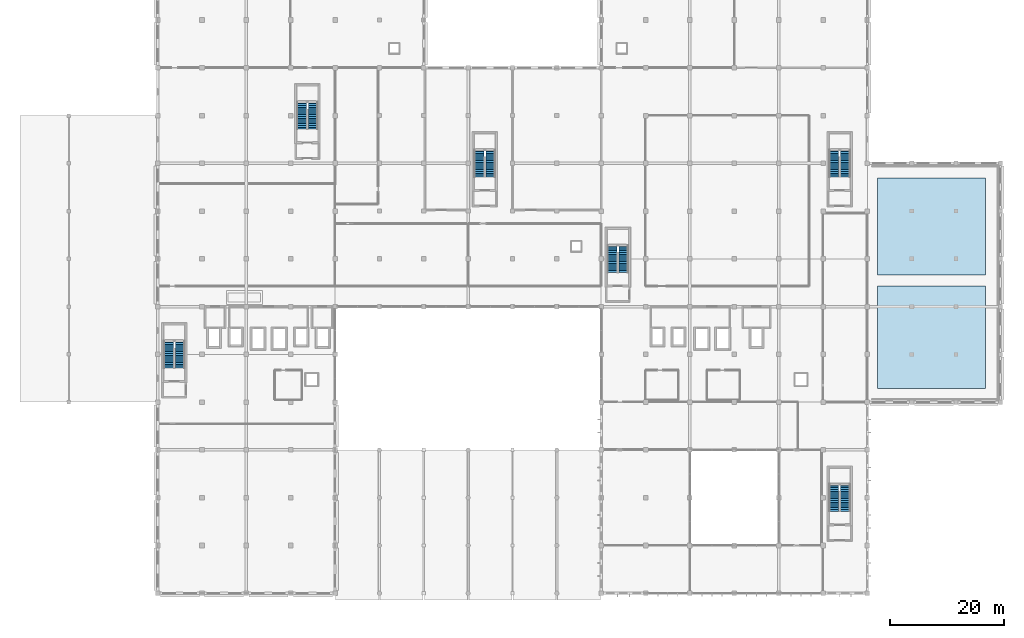
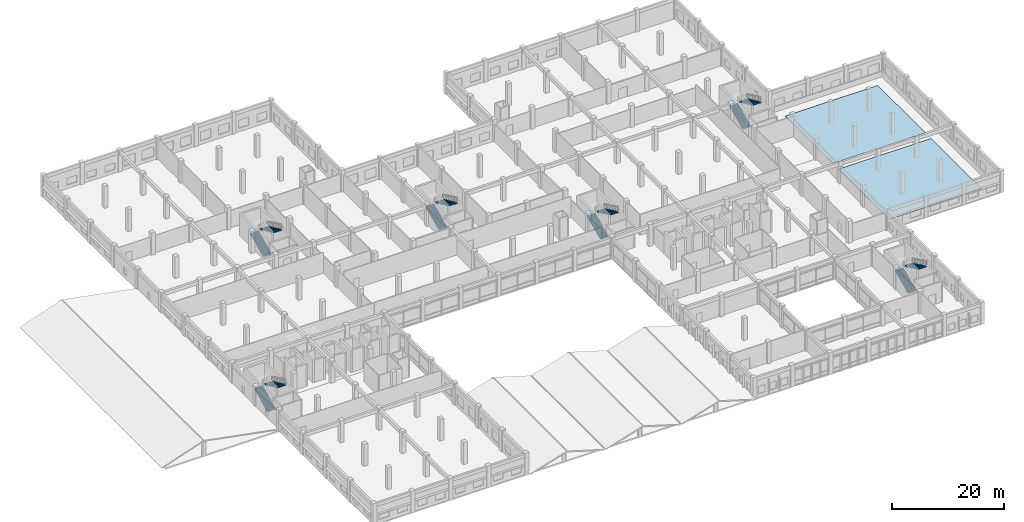
# One storey, part 52 of 62: 12 stair flights, 2 roofs, 6 elements without a shape of their own.
"""IFC4 building model written with IfcOpenShell, lengths in metres."""

from ifc_helpers import new_model, si_unit, direction, frame, origin, place, context, subcontext, project, spatial, polyline, outline, extrude, material, layer, layer_set, type_object, element, aggregate, save


model = new_model("IFC4")

# Units and contexts
model_context = context("Model", 3, precision=1e-05, world=origin(), true_north=direction((0.0, 1.0)))
body_context = subcontext(model_context, "Body", "Model", "MODEL_VIEW")
ifc_project = project(units=[si_unit("LENGTHUNIT", "METRE"), si_unit("AREAUNIT", "SQUARE_METRE"), si_unit("VOLUMEUNIT", "CUBIC_METRE"), si_unit("PLANEANGLEUNIT", "RADIAN"), si_unit("MASSUNIT", "GRAM", prefix="KILO"), si_unit("THERMODYNAMICTEMPERATUREUNIT", "KELVIN"), si_unit("POWERUNIT", "WATT")], contexts=[model_context])

# Site, building, storey
site_placement = place(None, origin())
site = spatial("IfcSite", under=ifc_project, at=site_placement, CompositionType="ELEMENT")
building_placement = place(site_placement, origin())
building = spatial("IfcBuilding", under=site, at=building_placement, Name="Srebrne Nadtorze General Hospital", CompositionType="ELEMENT")
storey_placement = place(building_placement, frame((0.0, 0.0, 9.60009765625)))
storey = spatial("IfcBuildingStorey", under=building, at=storey_placement, Name="L02", CompositionType="ELEMENT", Elevation=9.60009765625)

# Stair, stair flights
ifc_material_1 = material(Name="Concrete C35/45", Category="concrete")
stair_type = type_object("IfcStairType", Name="Dog-leg escape stair 480", PredefinedType="HALF_TURN_STAIR", material=ifc_material_1)
stair_1_placement = place(storey_placement, origin())
stair_1 = element("IfcStair", 1, at=stair_1_placement, inside=storey, type_object=stair_type, Name="Escape stair ST-01-L02", PredefinedType="HALF_TURN_STAIR")
ifc_material_2 = material(Name="Concrete C35/45", Category="concrete")
stair_flight_type = type_object("IfcStairFlightType", Name="Reinforced concrete stair flight 16R", PredefinedType="STRAIGHT", material=ifc_material_2)
stair_flight_1_placement = place(storey_placement, frame((25.300048828125, 39.60009765625, 0.0), z_axis=(0.0, 0.0, 1.0), x_axis=(0.0, 1.0, 0.0)))
stair_flight_1 = element("IfcStairFlight", 2, at=stair_flight_1_placement, type_object=stair_flight_type, Name="ST-01 flight 1", NumberOfRisers=16, NumberOfTreads=15, PredefinedType="STRAIGHT", RiserHeight=0.15, TreadLength=0.32, context=body_context, shape_type="SweptSolid", body=[
    extrude(outline(polyline([(0.0, 0.0), (0.0, 0.14990234375), (0.320068359375, 0.14990234375), (0.320068359375, 0.300048828125), (0.639892578125, 0.300048828125), (0.639892578125, 0.449951171875), (0.9599609375, 0.449951171875), (0.9599609375, 0.60009765625), (1.280029296875, 0.60009765625), (1.280029296875, 0.75), (1.60009765625, 0.75), (1.60009765625, 0.89990234375), (1.919921875, 0.89990234375), (1.919921875, 1.050048828125), (2.239990234375, 1.050048828125), (2.239990234375, 1.199951171875), (2.56005859375, 1.199951171875), (2.56005859375, 1.35009765625), (2.8798828125, 1.35009765625), (2.8798828125, 1.5), (3.199951171875, 1.5), (3.199951171875, 1.64990234375), (3.52001953125, 1.64990234375), (3.52001953125, 1.800048828125), (3.840087890625, 1.800048828125), (3.840087890625, 1.949951171875), (4.159912109375, 1.949951171875), (4.159912109375, 2.10009765625), (4.47998046875, 2.10009765625), (4.47998046875, 2.25), (4.800048828125, 2.25), (4.800048828125, 2.39990234375), (4.800048828125, 2.05126953125), (0.423828125, 0.0), (0.0, 0.0)])), frame((0.0, 0.85009765625, 0.0), z_axis=(0.0, -1.0, 0.0), x_axis=(1.0, 0.0, 0.0)), (0.0, 0.0, 1.0), 1.699951171875),
])
stair_flight_2_placement = place(storey_placement, frame((27.35009765625, 44.39990234375, 2.39990234375), z_axis=(0.0, 0.0, 1.0), x_axis=(0.0, -1.0, 0.0)))
stair_flight_2 = element("IfcStairFlight", 3, at=stair_flight_2_placement, type_object=stair_flight_type, Name="ST-01 flight 2", NumberOfRisers=16, NumberOfTreads=15, PredefinedType="STRAIGHT", RiserHeight=0.15, TreadLength=0.32, context=body_context, shape_type="SweptSolid", body=[
    extrude(outline(polyline([(0.0, 0.0), (0.0, 0.14990234375), (0.320068359375, 0.14990234375), (0.320068359375, 0.300048828125), (0.639892578125, 0.300048828125), (0.639892578125, 0.449951171875), (0.9599609375, 0.449951171875), (0.9599609375, 0.60009765625), (1.280029296875, 0.60009765625), (1.280029296875, 0.75), (1.60009765625, 0.75), (1.60009765625, 0.89990234375), (1.919921875, 0.89990234375), (1.919921875, 1.050048828125), (2.239990234375, 1.050048828125), (2.239990234375, 1.199951171875), (2.56005859375, 1.199951171875), (2.56005859375, 1.35009765625), (2.8798828125, 1.35009765625), (2.8798828125, 1.5), (3.199951171875, 1.5), (3.199951171875, 1.64990234375), (3.52001953125, 1.64990234375), (3.52001953125, 1.800048828125), (3.840087890625, 1.800048828125), (3.840087890625, 1.949951171875), (4.159912109375, 1.949951171875), (4.159912109375, 2.10009765625), (4.47998046875, 2.10009765625), (4.47998046875, 2.25), (4.800048828125, 2.25), (4.800048828125, 2.39990234375), (4.800048828125, 2.05126953125), (0.423828125, 0.0), (0.0, 0.0)])), frame((0.0, 0.85009765625, 0.0), z_axis=(0.0, -1.0, 0.0), x_axis=(1.0, 0.0, 0.0)), (0.0, 0.0, 1.0), 1.699951171875),
])
aggregate(stair_1, [stair_flight_1, stair_flight_2])

stair_2_placement = place(storey_placement, origin())
stair_2 = element("IfcStair", 4, at=stair_2_placement, inside=storey, type_object=stair_type, Name="Escape stair ST-02-L02", PredefinedType="HALF_TURN_STAIR")
stair_flight_3_placement = place(storey_placement, frame((48.699951171875, 81.60009765625, 0.0), z_axis=(0.0, 0.0, 1.0), x_axis=(0.0, 1.0, 0.0)))
stair_flight_3 = element("IfcStairFlight", 5, at=stair_flight_3_placement, type_object=stair_flight_type, Name="ST-02 flight 1", NumberOfRisers=16, NumberOfTreads=15, PredefinedType="STRAIGHT", RiserHeight=0.15, TreadLength=0.32, context=body_context, shape_type="SweptSolid", body=[
    extrude(outline(polyline([(0.0, 0.0), (0.0, 0.14990234375), (0.320068359375, 0.14990234375), (0.320068359375, 0.300048828125), (0.639892578125, 0.300048828125), (0.639892578125, 0.449951171875), (0.9599609375, 0.449951171875), (0.9599609375, 0.60009765625), (1.280029296875, 0.60009765625), (1.280029296875, 0.75), (1.60009765625, 0.75), (1.60009765625, 0.89990234375), (1.919921875, 0.89990234375), (1.919921875, 1.050048828125), (2.239990234375, 1.050048828125), (2.239990234375, 1.199951171875), (2.56005859375, 1.199951171875), (2.56005859375, 1.35009765625), (2.8798828125, 1.35009765625), (2.8798828125, 1.5), (3.199951171875, 1.5), (3.199951171875, 1.64990234375), (3.52001953125, 1.64990234375), (3.52001953125, 1.800048828125), (3.840087890625, 1.800048828125), (3.840087890625, 1.949951171875), (4.159912109375, 1.949951171875), (4.159912109375, 2.10009765625), (4.47998046875, 2.10009765625), (4.47998046875, 2.25), (4.800048828125, 2.25), (4.800048828125, 2.39990234375), (4.800048828125, 2.05126953125), (0.423828125, 0.0), (0.0, 0.0)])), frame((0.0, 0.85009765625, 0.0), z_axis=(0.0, -1.0, 0.0), x_axis=(1.0, 0.0, 0.0)), (0.0, 0.0, 1.0), 1.699951171875),
])
stair_flight_4_placement = place(storey_placement, frame((50.75, 86.39990234375, 2.39990234375), z_axis=(0.0, 0.0, 1.0), x_axis=(0.0, -1.0, 0.0)))
stair_flight_4 = element("IfcStairFlight", 6, at=stair_flight_4_placement, type_object=stair_flight_type, Name="ST-02 flight 2", NumberOfRisers=16, NumberOfTreads=15, PredefinedType="STRAIGHT", RiserHeight=0.15, TreadLength=0.32, context=body_context, shape_type="SweptSolid", body=[
    extrude(outline(polyline([(0.0, 0.0), (0.0, 0.14990234375), (0.320068359375, 0.14990234375), (0.320068359375, 0.300048828125), (0.639892578125, 0.300048828125), (0.639892578125, 0.449951171875), (0.9599609375, 0.449951171875), (0.9599609375, 0.60009765625), (1.280029296875, 0.60009765625), (1.280029296875, 0.75), (1.60009765625, 0.75), (1.60009765625, 0.89990234375), (1.919921875, 0.89990234375), (1.919921875, 1.050048828125), (2.239990234375, 1.050048828125), (2.239990234375, 1.199951171875), (2.56005859375, 1.199951171875), (2.56005859375, 1.35009765625), (2.8798828125, 1.35009765625), (2.8798828125, 1.5), (3.199951171875, 1.5), (3.199951171875, 1.64990234375), (3.52001953125, 1.64990234375), (3.52001953125, 1.800048828125), (3.840087890625, 1.800048828125), (3.840087890625, 1.949951171875), (4.159912109375, 1.949951171875), (4.159912109375, 2.10009765625), (4.47998046875, 2.10009765625), (4.47998046875, 2.25), (4.800048828125, 2.25), (4.800048828125, 2.39990234375), (4.800048828125, 2.05126953125), (0.423828125, 0.0), (0.0, 0.0)])), frame((0.0, 0.85009765625, 0.0), z_axis=(0.0, -1.0, 0.0), x_axis=(1.0, 0.0, 0.0)), (0.0, 0.0, 1.0), 1.699951171875),
])
aggregate(stair_2, [stair_flight_3, stair_flight_4])

stair_3_placement = place(storey_placement, origin())
stair_3 = element("IfcStair", 7, at=stair_3_placement, inside=storey, type_object=stair_type, Name="Escape stair ST-03-L02", PredefinedType="HALF_TURN_STAIR")
stair_flight_5_placement = place(storey_placement, frame((103.300048828125, 56.39990234375, 0.0), z_axis=(0.0, 0.0, 1.0), x_axis=(0.0, 1.0, 0.0)))
stair_flight_5 = element("IfcStairFlight", 8, at=stair_flight_5_placement, type_object=stair_flight_type, Name="ST-03 flight 1", NumberOfRisers=16, NumberOfTreads=15, PredefinedType="STRAIGHT", RiserHeight=0.15, TreadLength=0.32, context=body_context, shape_type="SweptSolid", body=[
    extrude(outline(polyline([(0.0, 0.0), (0.0, 0.14990234375), (0.320068359375, 0.14990234375), (0.320068359375, 0.300048828125), (0.639892578125, 0.300048828125), (0.639892578125, 0.449951171875), (0.9599609375, 0.449951171875), (0.9599609375, 0.60009765625), (1.280029296875, 0.60009765625), (1.280029296875, 0.75), (1.60009765625, 0.75), (1.60009765625, 0.89990234375), (1.919921875, 0.89990234375), (1.919921875, 1.050048828125), (2.239990234375, 1.050048828125), (2.239990234375, 1.199951171875), (2.56005859375, 1.199951171875), (2.56005859375, 1.35009765625), (2.8798828125, 1.35009765625), (2.8798828125, 1.5), (3.199951171875, 1.5), (3.199951171875, 1.64990234375), (3.52001953125, 1.64990234375), (3.52001953125, 1.800048828125), (3.840087890625, 1.800048828125), (3.840087890625, 1.949951171875), (4.159912109375, 1.949951171875), (4.159912109375, 2.10009765625), (4.47998046875, 2.10009765625), (4.47998046875, 2.25), (4.800048828125, 2.25), (4.800048828125, 2.39990234375), (4.800048828125, 2.05126953125), (0.423828125, 0.0), (0.0, 0.0)])), frame((0.0, 0.85009765625, 0.0), z_axis=(0.0, -1.0, 0.0), x_axis=(1.0, 0.0, 0.0)), (0.0, 0.0, 1.0), 1.699951171875),
])
stair_flight_6_placement = place(storey_placement, frame((105.35009765625, 61.199951171875, 2.39990234375), z_axis=(0.0, 0.0, 1.0), x_axis=(0.0, -1.0, 0.0)))
stair_flight_6 = element("IfcStairFlight", 9, at=stair_flight_6_placement, type_object=stair_flight_type, Name="ST-03 flight 2", NumberOfRisers=16, NumberOfTreads=15, PredefinedType="STRAIGHT", RiserHeight=0.15, TreadLength=0.32, context=body_context, shape_type="SweptSolid", body=[
    extrude(outline(polyline([(0.0, 0.0), (0.0, 0.14990234375), (0.320068359375, 0.14990234375), (0.320068359375, 0.300048828125), (0.639892578125, 0.300048828125), (0.639892578125, 0.449951171875), (0.9599609375, 0.449951171875), (0.9599609375, 0.60009765625), (1.280029296875, 0.60009765625), (1.280029296875, 0.75), (1.60009765625, 0.75), (1.60009765625, 0.89990234375), (1.919921875, 0.89990234375), (1.919921875, 1.050048828125), (2.239990234375, 1.050048828125), (2.239990234375, 1.199951171875), (2.56005859375, 1.199951171875), (2.56005859375, 1.35009765625), (2.8798828125, 1.35009765625), (2.8798828125, 1.5), (3.199951171875, 1.5), (3.199951171875, 1.64990234375), (3.52001953125, 1.64990234375), (3.52001953125, 1.800048828125), (3.840087890625, 1.800048828125), (3.840087890625, 1.949951171875), (4.159912109375, 1.949951171875), (4.159912109375, 2.10009765625), (4.47998046875, 2.10009765625), (4.47998046875, 2.25), (4.800048828125, 2.25), (4.800048828125, 2.39990234375), (4.800048828125, 2.05126953125), (0.423828125, 0.0), (0.0, 0.0)])), frame((0.0, 0.85009765625, 0.0), z_axis=(0.0, -1.0, 0.0), x_axis=(1.0, 0.0, 0.0)), (0.0, 0.0, 1.0), 1.699951171875),
])
aggregate(stair_3, [stair_flight_5, stair_flight_6])

stair_4_placement = place(storey_placement, origin())
stair_4 = element("IfcStair", 10, at=stair_4_placement, inside=storey, type_object=stair_type, Name="Escape stair ST-04-L02", PredefinedType="HALF_TURN_STAIR")
stair_flight_7_placement = place(storey_placement, frame((142.300048828125, 73.199951171875, 0.0), z_axis=(0.0, 0.0, 1.0), x_axis=(0.0, 1.0, 0.0)))
stair_flight_7 = element("IfcStairFlight", 11, at=stair_flight_7_placement, type_object=stair_flight_type, Name="ST-04 flight 1", NumberOfRisers=16, NumberOfTreads=15, PredefinedType="STRAIGHT", RiserHeight=0.15, TreadLength=0.32, context=body_context, shape_type="SweptSolid", body=[
    extrude(outline(polyline([(0.0, 0.0), (0.0, 0.14990234375), (0.320068359375, 0.14990234375), (0.320068359375, 0.300048828125), (0.639892578125, 0.300048828125), (0.639892578125, 0.449951171875), (0.9599609375, 0.449951171875), (0.9599609375, 0.60009765625), (1.280029296875, 0.60009765625), (1.280029296875, 0.75), (1.60009765625, 0.75), (1.60009765625, 0.89990234375), (1.919921875, 0.89990234375), (1.919921875, 1.050048828125), (2.239990234375, 1.050048828125), (2.239990234375, 1.199951171875), (2.56005859375, 1.199951171875), (2.56005859375, 1.35009765625), (2.8798828125, 1.35009765625), (2.8798828125, 1.5), (3.199951171875, 1.5), (3.199951171875, 1.64990234375), (3.52001953125, 1.64990234375), (3.52001953125, 1.800048828125), (3.840087890625, 1.800048828125), (3.840087890625, 1.949951171875), (4.159912109375, 1.949951171875), (4.159912109375, 2.10009765625), (4.47998046875, 2.10009765625), (4.47998046875, 2.25), (4.800048828125, 2.25), (4.800048828125, 2.39990234375), (4.800048828125, 2.05126953125), (0.423828125, 0.0), (0.0, 0.0)])), frame((0.0, 0.85009765625, 0.0), z_axis=(0.0, -1.0, 0.0), x_axis=(1.0, 0.0, 0.0)), (0.0, 0.0, 1.0), 1.699951171875),
])
stair_flight_8_placement = place(storey_placement, frame((144.35009765625, 78.0, 2.39990234375), z_axis=(0.0, 0.0, 1.0), x_axis=(0.0, -1.0, 0.0)))
stair_flight_8 = element("IfcStairFlight", 12, at=stair_flight_8_placement, type_object=stair_flight_type, Name="ST-04 flight 2", NumberOfRisers=16, NumberOfTreads=15, PredefinedType="STRAIGHT", RiserHeight=0.15, TreadLength=0.32, context=body_context, shape_type="SweptSolid", body=[
    extrude(outline(polyline([(0.0, 0.0), (0.0, 0.14990234375), (0.320068359375, 0.14990234375), (0.320068359375, 0.300048828125), (0.639892578125, 0.300048828125), (0.639892578125, 0.449951171875), (0.9599609375, 0.449951171875), (0.9599609375, 0.60009765625), (1.280029296875, 0.60009765625), (1.280029296875, 0.75), (1.60009765625, 0.75), (1.60009765625, 0.89990234375), (1.919921875, 0.89990234375), (1.919921875, 1.050048828125), (2.239990234375, 1.050048828125), (2.239990234375, 1.199951171875), (2.56005859375, 1.199951171875), (2.56005859375, 1.35009765625), (2.8798828125, 1.35009765625), (2.8798828125, 1.5), (3.199951171875, 1.5), (3.199951171875, 1.64990234375), (3.52001953125, 1.64990234375), (3.52001953125, 1.800048828125), (3.840087890625, 1.800048828125), (3.840087890625, 1.949951171875), (4.159912109375, 1.949951171875), (4.159912109375, 2.10009765625), (4.47998046875, 2.10009765625), (4.47998046875, 2.25), (4.800048828125, 2.25), (4.800048828125, 2.39990234375), (4.800048828125, 2.05126953125), (0.423828125, 0.0), (0.0, 0.0)])), frame((0.0, 0.85009765625, 0.0), z_axis=(0.0, -1.0, 0.0), x_axis=(1.0, 0.0, 0.0)), (0.0, 0.0, 1.0), 1.699951171875),
])
aggregate(stair_4, [stair_flight_7, stair_flight_8])

stair_5_placement = place(storey_placement, origin())
stair_5 = element("IfcStair", 13, at=stair_5_placement, inside=storey, type_object=stair_type, Name="Escape stair ST-07-L02", PredefinedType="HALF_TURN_STAIR")
stair_flight_9_placement = place(storey_placement, frame((79.89990234375, 73.199951171875, 0.0), z_axis=(0.0, 0.0, 1.0), x_axis=(0.0, 1.0, 0.0)))
stair_flight_9 = element("IfcStairFlight", 14, at=stair_flight_9_placement, type_object=stair_flight_type, Name="ST-07 flight 1", NumberOfRisers=16, NumberOfTreads=15, PredefinedType="STRAIGHT", RiserHeight=0.15, TreadLength=0.32, context=body_context, shape_type="SweptSolid", body=[
    extrude(outline(polyline([(0.0, 0.0), (0.0, 0.14990234375), (0.320068359375, 0.14990234375), (0.320068359375, 0.300048828125), (0.639892578125, 0.300048828125), (0.639892578125, 0.449951171875), (0.9599609375, 0.449951171875), (0.9599609375, 0.60009765625), (1.280029296875, 0.60009765625), (1.280029296875, 0.75), (1.60009765625, 0.75), (1.60009765625, 0.89990234375), (1.919921875, 0.89990234375), (1.919921875, 1.050048828125), (2.239990234375, 1.050048828125), (2.239990234375, 1.199951171875), (2.56005859375, 1.199951171875), (2.56005859375, 1.35009765625), (2.8798828125, 1.35009765625), (2.8798828125, 1.5), (3.199951171875, 1.5), (3.199951171875, 1.64990234375), (3.52001953125, 1.64990234375), (3.52001953125, 1.800048828125), (3.840087890625, 1.800048828125), (3.840087890625, 1.949951171875), (4.159912109375, 1.949951171875), (4.159912109375, 2.10009765625), (4.47998046875, 2.10009765625), (4.47998046875, 2.25), (4.800048828125, 2.25), (4.800048828125, 2.39990234375), (4.800048828125, 2.05126953125), (0.423828125, 0.0), (0.0, 0.0)])), frame((0.0, 0.85009765625, 0.0), z_axis=(0.0, -1.0, 0.0), x_axis=(1.0, 0.0, 0.0)), (0.0, 0.0, 1.0), 1.699951171875),
])
stair_flight_10_placement = place(storey_placement, frame((81.949951171875, 78.0, 2.39990234375), z_axis=(0.0, 0.0, 1.0), x_axis=(0.0, -1.0, 0.0)))
stair_flight_10 = element("IfcStairFlight", 15, at=stair_flight_10_placement, type_object=stair_flight_type, Name="ST-07 flight 2", NumberOfRisers=16, NumberOfTreads=15, PredefinedType="STRAIGHT", RiserHeight=0.15, TreadLength=0.32, context=body_context, shape_type="SweptSolid", body=[
    extrude(outline(polyline([(0.0, 0.0), (0.0, 0.14990234375), (0.320068359375, 0.14990234375), (0.320068359375, 0.300048828125), (0.639892578125, 0.300048828125), (0.639892578125, 0.449951171875), (0.9599609375, 0.449951171875), (0.9599609375, 0.60009765625), (1.280029296875, 0.60009765625), (1.280029296875, 0.75), (1.60009765625, 0.75), (1.60009765625, 0.89990234375), (1.919921875, 0.89990234375), (1.919921875, 1.050048828125), (2.239990234375, 1.050048828125), (2.239990234375, 1.199951171875), (2.56005859375, 1.199951171875), (2.56005859375, 1.35009765625), (2.8798828125, 1.35009765625), (2.8798828125, 1.5), (3.199951171875, 1.5), (3.199951171875, 1.64990234375), (3.52001953125, 1.64990234375), (3.52001953125, 1.800048828125), (3.840087890625, 1.800048828125), (3.840087890625, 1.949951171875), (4.159912109375, 1.949951171875), (4.159912109375, 2.10009765625), (4.47998046875, 2.10009765625), (4.47998046875, 2.25), (4.800048828125, 2.25), (4.800048828125, 2.39990234375), (4.800048828125, 2.05126953125), (0.423828125, 0.0), (0.0, 0.0)])), frame((0.0, 0.85009765625, 0.0), z_axis=(0.0, -1.0, 0.0), x_axis=(1.0, 0.0, 0.0)), (0.0, 0.0, 1.0), 1.699951171875),
])
aggregate(stair_5, [stair_flight_9, stair_flight_10])

stair_6_placement = place(storey_placement, origin())
stair_6 = element("IfcStair", 16, at=stair_6_placement, inside=storey, type_object=stair_type, Name="Escape stair ST-08-L02", PredefinedType="HALF_TURN_STAIR")
stair_flight_11_placement = place(storey_placement, frame((142.300048828125, 14.39990234375, 0.0), z_axis=(0.0, 0.0, 1.0), x_axis=(0.0, 1.0, 0.0)))
stair_flight_11 = element("IfcStairFlight", 17, at=stair_flight_11_placement, type_object=stair_flight_type, Name="ST-08 flight 1", NumberOfRisers=16, NumberOfTreads=15, PredefinedType="STRAIGHT", RiserHeight=0.15, TreadLength=0.32, context=body_context, shape_type="SweptSolid", body=[
    extrude(outline(polyline([(0.0, 0.0), (0.0, 0.14990234375), (0.320068359375, 0.14990234375), (0.320068359375, 0.300048828125), (0.639892578125, 0.300048828125), (0.639892578125, 0.449951171875), (0.9599609375, 0.449951171875), (0.9599609375, 0.60009765625), (1.280029296875, 0.60009765625), (1.280029296875, 0.75), (1.60009765625, 0.75), (1.60009765625, 0.89990234375), (1.919921875, 0.89990234375), (1.919921875, 1.050048828125), (2.239990234375, 1.050048828125), (2.239990234375, 1.199951171875), (2.56005859375, 1.199951171875), (2.56005859375, 1.35009765625), (2.8798828125, 1.35009765625), (2.8798828125, 1.5), (3.199951171875, 1.5), (3.199951171875, 1.64990234375), (3.52001953125, 1.64990234375), (3.52001953125, 1.800048828125), (3.840087890625, 1.800048828125), (3.840087890625, 1.949951171875), (4.159912109375, 1.949951171875), (4.159912109375, 2.10009765625), (4.47998046875, 2.10009765625), (4.47998046875, 2.25), (4.800048828125, 2.25), (4.800048828125, 2.39990234375), (4.800048828125, 2.05126953125), (0.423828125, 0.0), (0.0, 0.0)])), frame((0.0, 0.85009765625, 0.0), z_axis=(0.0, -1.0, 0.0), x_axis=(1.0, 0.0, 0.0)), (0.0, 0.0, 1.0), 1.699951171875),
])
stair_flight_12_placement = place(storey_placement, frame((144.35009765625, 19.199951171875, 2.39990234375), z_axis=(0.0, 0.0, 1.0), x_axis=(0.0, -1.0, 0.0)))
stair_flight_12 = element("IfcStairFlight", 18, at=stair_flight_12_placement, type_object=stair_flight_type, Name="ST-08 flight 2", NumberOfRisers=16, NumberOfTreads=15, PredefinedType="STRAIGHT", RiserHeight=0.15, TreadLength=0.32, context=body_context, shape_type="SweptSolid", body=[
    extrude(outline(polyline([(0.0, 0.0), (0.0, 0.14990234375), (0.320068359375, 0.14990234375), (0.320068359375, 0.300048828125), (0.639892578125, 0.300048828125), (0.639892578125, 0.449951171875), (0.9599609375, 0.449951171875), (0.9599609375, 0.60009765625), (1.280029296875, 0.60009765625), (1.280029296875, 0.75), (1.60009765625, 0.75), (1.60009765625, 0.89990234375), (1.919921875, 0.89990234375), (1.919921875, 1.050048828125), (2.239990234375, 1.050048828125), (2.239990234375, 1.199951171875), (2.56005859375, 1.199951171875), (2.56005859375, 1.35009765625), (2.8798828125, 1.35009765625), (2.8798828125, 1.5), (3.199951171875, 1.5), (3.199951171875, 1.64990234375), (3.52001953125, 1.64990234375), (3.52001953125, 1.800048828125), (3.840087890625, 1.800048828125), (3.840087890625, 1.949951171875), (4.159912109375, 1.949951171875), (4.159912109375, 2.10009765625), (4.47998046875, 2.10009765625), (4.47998046875, 2.25), (4.800048828125, 2.25), (4.800048828125, 2.39990234375), (4.800048828125, 2.05126953125), (0.423828125, 0.0), (0.0, 0.0)])), frame((0.0, 0.85009765625, 0.0), z_axis=(0.0, -1.0, 0.0), x_axis=(1.0, 0.0, 0.0)), (0.0, 0.0, 1.0), 1.699951171875),
])
aggregate(stair_6, [stair_flight_11, stair_flight_12])

# Roofs
ifc_material_3 = material(Name="EPDM Waterproofing Membrane")
ifc_layer = layer(ifc_material_3, 0.06005859375)
ifc_layer_set = layer_set([ifc_layer], Name="EPDM Waterproofing Membrane")
roof_type = type_object("IfcRoofType", Name="Warm inverted flat roof membrane assembly", PredefinedType="FLAT_ROOF", material=ifc_layer_set)
roof_1_placement = place(storey_placement, origin())
element("IfcRoof", 19, at=roof_1_placement, inside=storey, type_object=roof_type, Name="Warm roof assembly RM-L02-EB1", PredefinedType="FLAT_ROOF", context=body_context, shape_type="SweptSolid", body=[
    extrude(outline(polyline([(150.0, 36.0), (169.0, 36.0), (169.0, 54.0), (150.0, 54.0), (150.0, 36.0)])), origin(), (0.0, 0.0, 1.0), 0.059814453125),
])
roof_2_placement = place(storey_placement, origin())
element("IfcRoof", 20, at=roof_2_placement, inside=storey, type_object=roof_type, Name="Warm roof assembly RM-L02-EB2", PredefinedType="FLAT_ROOF", context=body_context, shape_type="SweptSolid", body=[
    extrude(outline(polyline([(150.0, 56.0), (169.0, 56.0), (169.0, 73.0), (150.0, 73.0), (150.0, 56.0)])), origin(), (0.0, 0.0, 1.0), 0.059814453125),
])

save(model, "model.ifc")
